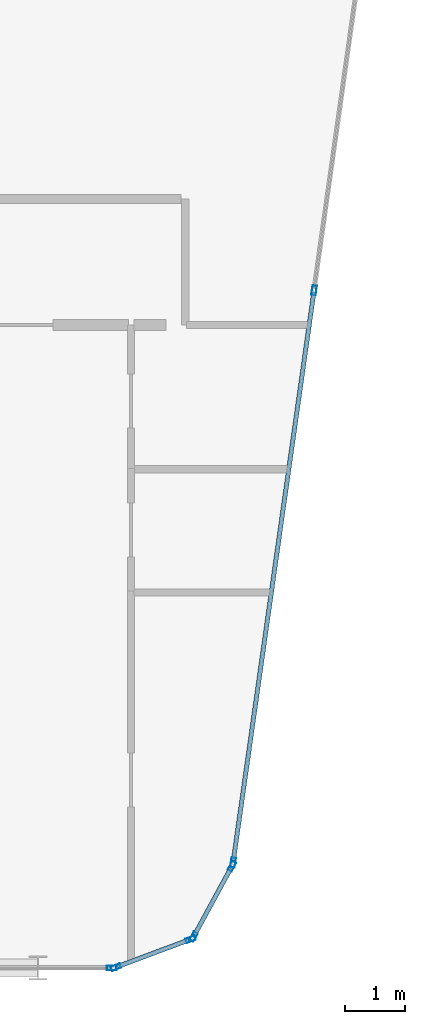
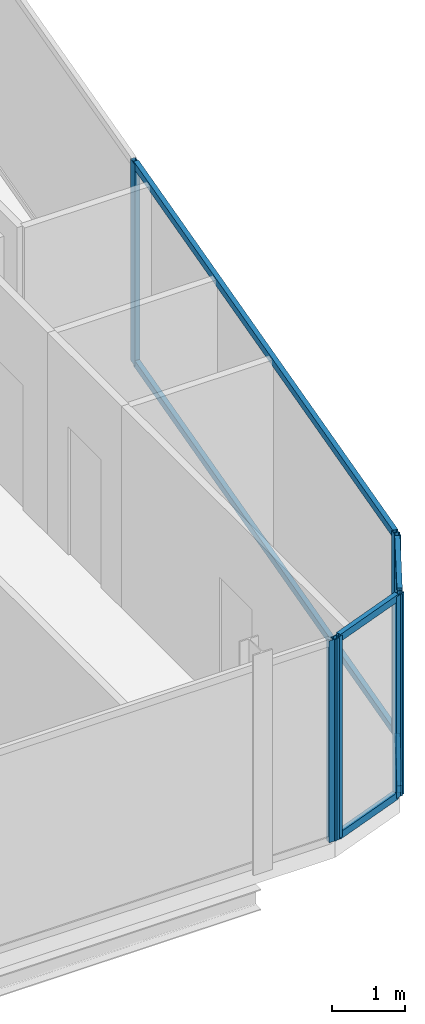
# One storey, part 12 of 27: 13 members, 4 elements without a shape of their own.
"""IFC4 building model written with IfcOpenShell, lengths in metres."""

from ifc_helpers import new_model, si_unit, direction, frame, origin, origin_2d, place, context, subcontext, project, spatial, hollow_rectangle, extrude, material, layer, layer_set, material_profile, profile_set, type_object, element, aggregate, save


model = new_model("IFC4")

# Units and contexts
model_context = context("Model", 3, precision=1e-05, world=origin(), true_north=direction((0.0, 1.0)))
body_context = subcontext(model_context, "Body", "Model", "MODEL_VIEW")
ifc_project = project(units=[si_unit("LENGTHUNIT", "METRE"), si_unit("AREAUNIT", "SQUARE_METRE"), si_unit("VOLUMEUNIT", "CUBIC_METRE"), si_unit("PLANEANGLEUNIT", "RADIAN"), si_unit("MASSUNIT", "GRAM", prefix="KILO")], contexts=[model_context])

# Site, building, storey
site_placement = place(None, origin())
site = spatial("IfcSite", under=ifc_project, at=site_placement, CompositionType="ELEMENT")
building_placement = place(site_placement, origin())
building = spatial("IfcBuilding", under=site, at=building_placement, Name="Keshet Zoharim Tower", CompositionType="ELEMENT")
storey_placement = place(building_placement, frame((0.0, 0.0, 269.5)))
storey = spatial("IfcBuildingStorey", under=building, at=storey_placement, Name="L67", CompositionType="ELEMENT", Elevation=269.5)

# Curtain wall, members
ifc_material = material(Name="Aluminium 6063-T6", Category="aluminium")
ifc_layer = layer(ifc_material, 0.260009765625)
ifc_layer_set = layer_set([ifc_layer], Name="Aluminium 6063-T6")
curtain_wall_type = type_object("IfcCurtainWallType", Name="CW-SYS-06", PredefinedType="NOTDEFINED", material=ifc_layer_set)
curtain_wall_1_placement = place(storey_placement, origin())
curtain_wall_1 = element("IfcCurtainWall", 1, at=curtain_wall_1_placement, inside=storey, type_object=curtain_wall_type, Name="L67 Unitised Curtain Wall 11", PredefinedType="NOTDEFINED")
ifc_material_profile_1 = material_profile(ifc_material, hollow_rectangle(XDim=0.074951171875, YDim=0.159912109375, WallThickness=0.00390625, at=origin_2d()), Name="MUL-75x160")
ifc_profile_set_1 = profile_set([ifc_material_profile_1], Name="Aluminium 6063-T6")
member_type_1 = type_object("IfcMemberType", Name="CWM-M15", PredefinedType="MULLION", material=ifc_profile_set_1)
member_1_placement = place(storey_placement, frame((43.595458984375, 17.97607421875, 0.0), z_axis=(0.0, 0.0, 1.0), x_axis=(0.990132057422, -0.140137464177, 0.0)))
member_1 = element("IfcMember", 2, at=member_1_placement, type_object=member_type_1, Name="CW-06 mullion 2", PredefinedType="MULLION", context=body_context, shape_type="SweptSolid", body=[
    extrude(hollow_rectangle(XDim=0.074951171875, YDim=0.159912109375, WallThickness=0.00390625, at=origin_2d()), origin(), (0.0, 0.0, 1.0), 3.389892578125),
])
member_2_placement = place(storey_placement, frame((42.247802734375, 8.45458984375, 0.0), z_axis=(0.0, 0.0, 1.0), x_axis=(0.990132057422, -0.140137464177, 0.0)))
member_2 = element("IfcMember", 3, at=member_2_placement, type_object=member_type_1, Name="CW-06 mullion 3", PredefinedType="MULLION", context=body_context, shape_type="SweptSolid", body=[
    extrude(hollow_rectangle(XDim=0.074951171875, YDim=0.159912109375, WallThickness=0.00390625, at=origin_2d()), origin(), (0.0, 0.0, 1.0), 3.389892578125),
])

curtain_wall_2_placement = place(storey_placement, origin())
curtain_wall_2 = element("IfcCurtainWall", 4, at=curtain_wall_2_placement, inside=storey, type_object=curtain_wall_type, Name="L67 Unitised Curtain Wall 12", PredefinedType="NOTDEFINED")
member_3_placement = place(storey_placement, frame((42.226318359375, 8.38916015625, 0.0), z_axis=(0.0, 0.0, 1.0), x_axis=(0.878468125004, -0.477800955789, 0.0)))
member_3 = element("IfcMember", 5, at=member_3_placement, type_object=member_type_1, Name="CW-06 mullion 1", PredefinedType="MULLION", context=body_context, shape_type="SweptSolid", body=[
    extrude(hollow_rectangle(XDim=0.074951171875, YDim=0.159912109375, WallThickness=0.00390625, at=origin_2d()), origin(), (0.0, 0.0, 1.0), 3.389892578125),
])
member_4_placement = place(storey_placement, frame((41.5908203125, 7.220703125, 0.0), z_axis=(0.0, 0.0, 1.0), x_axis=(0.878468125004, -0.477800955789, 0.0)))
member_4 = element("IfcMember", 6, at=member_4_placement, type_object=member_type_1, Name="CW-06 mullion 2", PredefinedType="MULLION", context=body_context, shape_type="SweptSolid", body=[
    extrude(hollow_rectangle(XDim=0.074951171875, YDim=0.159912109375, WallThickness=0.00390625, at=origin_2d()), origin(), (0.0, 0.0, 1.0), 3.389892578125),
])

curtain_wall_3_placement = place(storey_placement, origin())
curtain_wall_3 = element("IfcCurtainWall", 7, at=curtain_wall_3_placement, inside=storey, type_object=curtain_wall_type, Name="L67 Unitised Curtain Wall 13", PredefinedType="NOTDEFINED")
member_5_placement = place(storey_placement, frame((41.541259765625, 7.177734375, 0.0), z_axis=(0.0, 0.0, 1.0), x_axis=(0.350105315376, -0.936710343781, 0.0)))
member_5 = element("IfcMember", 8, at=member_5_placement, type_object=member_type_1, Name="CW-06 mullion 1", PredefinedType="MULLION", context=body_context, shape_type="SweptSolid", body=[
    extrude(hollow_rectangle(XDim=0.074951171875, YDim=0.159912109375, WallThickness=0.00390625, at=origin_2d()), origin(), (0.0, 0.0, 1.0), 3.389892578125),
])
member_6_placement = place(storey_placement, frame((40.2958984375, 6.712158203125, 0.0), z_axis=(0.0, 0.0, 1.0), x_axis=(0.350105315376, -0.936710343781, 0.0)))
member_6 = element("IfcMember", 9, at=member_6_placement, type_object=member_type_1, Name="CW-06 mullion 2", PredefinedType="MULLION", context=body_context, shape_type="SweptSolid", body=[
    extrude(hollow_rectangle(XDim=0.074951171875, YDim=0.159912109375, WallThickness=0.00390625, at=origin_2d()), origin(), (0.0, 0.0, 1.0), 3.389892578125),
])

# Curtain wall, member
curtain_wall_4_placement = place(storey_placement, origin())
curtain_wall_4 = element("IfcCurtainWall", 10, at=curtain_wall_4_placement, inside=storey, type_object=curtain_wall_type, Name="L67 Unitised Curtain Wall 14", PredefinedType="NOTDEFINED")
member_7_placement = place(storey_placement, frame((40.22802734375, 6.699951171875, 0.0), z_axis=(0.0, 0.0, 1.0), x_axis=(0.0, -1.0, 0.0)))
member_7 = element("IfcMember", 11, at=member_7_placement, type_object=member_type_1, Name="CW-06 mullion 1", PredefinedType="MULLION", context=body_context, shape_type="SweptSolid", body=[
    extrude(hollow_rectangle(XDim=0.074951171875, YDim=0.159912109375, WallThickness=0.00390625, at=origin_2d()), origin(), (0.0, 0.0, 1.0), 3.389892578125),
])
aggregate(curtain_wall_4, [member_7])

# Member
ifc_material_profile_2 = material_profile(ifc_material, hollow_rectangle(XDim=0.074951171875, YDim=0.1201171875, WallThickness=0.00390625, at=origin_2d()), Name="TRN-75x120")
ifc_profile_set_2 = profile_set([ifc_material_profile_2], Name="Aluminium 6063-T6")
member_type_2 = type_object("IfcMemberType", Name="CWT-T12", PredefinedType="USERDEFINED", material=ifc_profile_set_2)
member_8_placement = place(storey_placement, frame((43.590576171875, 17.94140625, 0.034912109375), z_axis=(-0.14012154881, -0.990134309859, 0.0), x_axis=(0.990134309859, -0.14012154881, 0.0)))
member_8 = element("IfcMember", 12, at=member_8_placement, type_object=member_type_2, Name="CW-06 transom 2.1", ObjectType="TRANSOM", PredefinedType="USERDEFINED", context=body_context, shape_type="SweptSolid", body=[
    extrude(hollow_rectangle(XDim=0.074951171875, YDim=0.1201171875, WallThickness=0.00390625, at=origin_2d()), origin(), (0.0, 0.0, 1.0), 9.54638671875),
])

member_9_placement = place(storey_placement, frame((43.590576171875, 17.94140625, 3.35498046875), z_axis=(-0.14012154881, -0.990134309859, 0.0), x_axis=(0.990134309859, -0.14012154881, 0.0)))
member_9 = element("IfcMember", 13, at=member_9_placement, type_object=member_type_2, Name="CW-06 transom 2.2", ObjectType="TRANSOM", PredefinedType="USERDEFINED", context=body_context, shape_type="SweptSolid", body=[
    extrude(hollow_rectangle(XDim=0.074951171875, YDim=0.1201171875, WallThickness=0.00390625, at=origin_2d()), origin(), (0.0, 0.0, 1.0), 9.54638671875),
])

aggregate(curtain_wall_1, [member_1, member_2, member_8, member_9])

member_10_placement = place(storey_placement, frame((42.20947265625, 8.3583984375, 0.034912109375), z_axis=(-0.47779293276, -0.878472488701, 0.0), x_axis=(0.878472488701, -0.47779293276, 0.0)))
member_10 = element("IfcMember", 14, at=member_10_placement, type_object=member_type_2, Name="CW-06 transom 1.1", ObjectType="TRANSOM", PredefinedType="USERDEFINED", context=body_context, shape_type="SweptSolid", body=[
    extrude(hollow_rectangle(XDim=0.074951171875, YDim=0.1201171875, WallThickness=0.00390625, at=origin_2d()), origin(), (0.0, 0.0, 1.0), 1.260009765625),
])

member_11_placement = place(storey_placement, frame((42.20947265625, 8.3583984375, 3.35498046875), z_axis=(-0.47779293276, -0.878472488701, 0.0), x_axis=(0.878472488701, -0.47779293276, 0.0)))
member_11 = element("IfcMember", 15, at=member_11_placement, type_object=member_type_2, Name="CW-06 transom 1.2", ObjectType="TRANSOM", PredefinedType="USERDEFINED", context=body_context, shape_type="SweptSolid", body=[
    extrude(hollow_rectangle(XDim=0.074951171875, YDim=0.1201171875, WallThickness=0.00390625, at=origin_2d()), origin(), (0.0, 0.0, 1.0), 1.260009765625),
])

aggregate(curtain_wall_2, [member_3, member_4, member_10, member_11])

member_12_placement = place(storey_placement, frame((41.508544921875, 7.16552734375, 0.034912109375), z_axis=(-0.93673477759, -0.350039935512, 0.0), x_axis=(0.350039935512, -0.93673477759, 0.0)))
member_12 = element("IfcMember", 16, at=member_12_placement, type_object=member_type_2, Name="CW-06 transom 1.1", ObjectType="TRANSOM", PredefinedType="USERDEFINED", context=body_context, shape_type="SweptSolid", body=[
    extrude(hollow_rectangle(XDim=0.074951171875, YDim=0.1201171875, WallThickness=0.00390625, at=origin_2d()), origin(), (0.0, 0.0, 1.0), 1.259521484375),
])

member_13_placement = place(storey_placement, frame((41.508544921875, 7.16552734375, 3.35498046875), z_axis=(-0.93673477759, -0.350039935512, 0.0), x_axis=(0.350039935512, -0.93673477759, 0.0)))
member_13 = element("IfcMember", 17, at=member_13_placement, type_object=member_type_2, Name="CW-06 transom 1.2", ObjectType="TRANSOM", PredefinedType="USERDEFINED", context=body_context, shape_type="SweptSolid", body=[
    extrude(hollow_rectangle(XDim=0.074951171875, YDim=0.1201171875, WallThickness=0.00390625, at=origin_2d()), origin(), (0.0, 0.0, 1.0), 1.259521484375),
])

aggregate(curtain_wall_3, [member_5, member_6, member_12, member_13])

save(model, "model.ifc")
